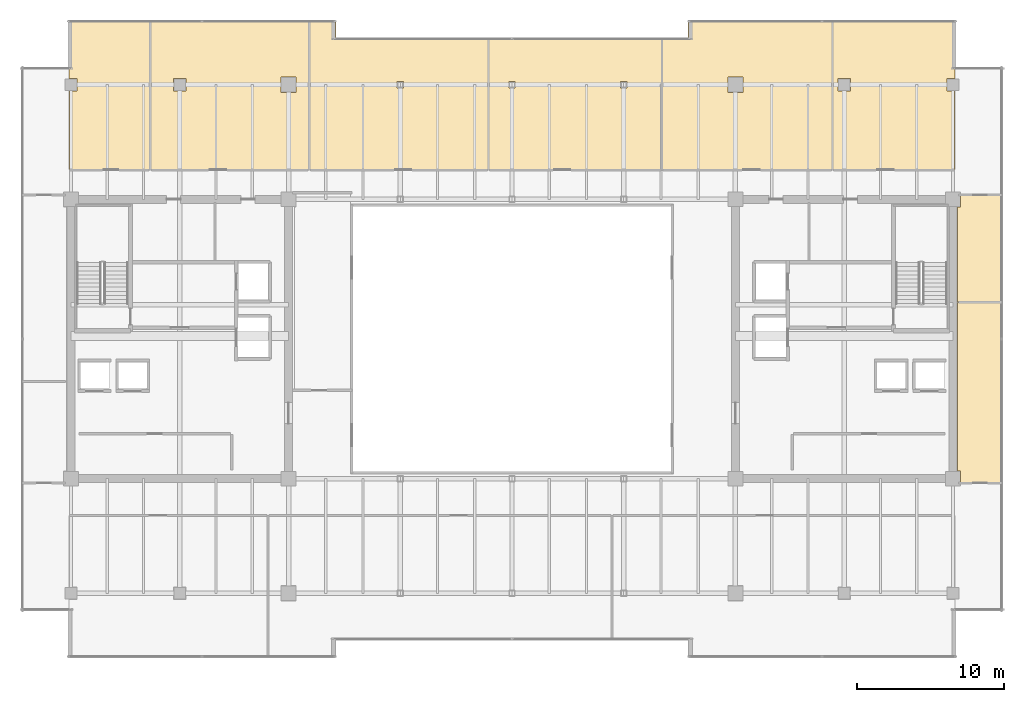
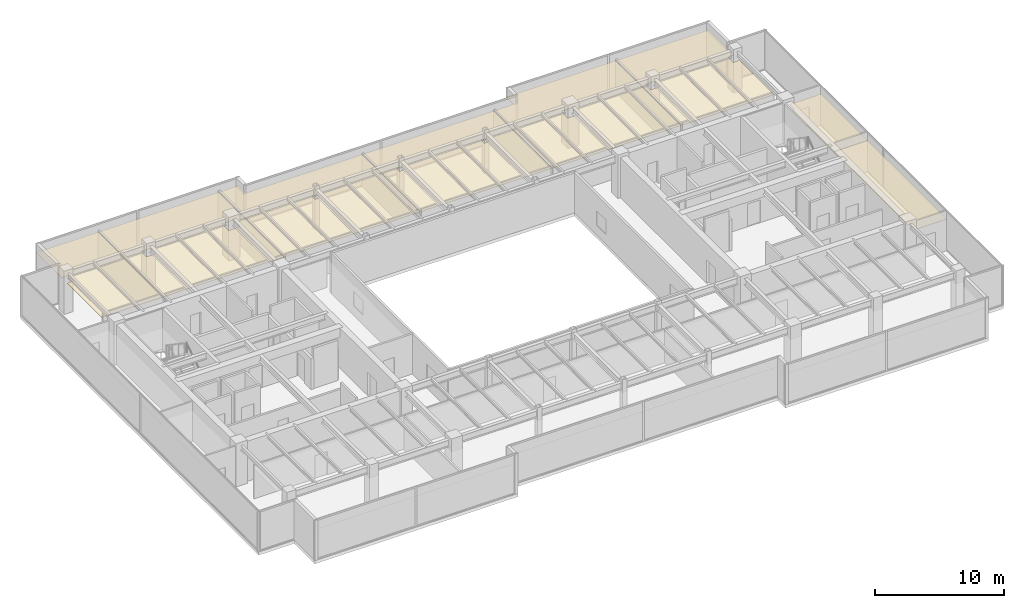
# One storey, part 35 of 35: 8 coverings.
"""IFC4 building model written with IfcOpenShell, lengths in metres."""

from ifc_helpers import new_model, si_unit, direction, frame, origin, place, context, subcontext, project, spatial, polyline, outline, extrude, material, layer, layer_set, type_object, element, save


model = new_model("IFC4")

# Units and contexts
model_context = context("Model", 3, precision=1e-05, world=origin(), true_north=direction((0.0, 1.0)))
body_context = subcontext(model_context, "Body", "Model", "MODEL_VIEW")
ifc_project = project(units=[si_unit("LENGTHUNIT", "METRE"), si_unit("AREAUNIT", "SQUARE_METRE"), si_unit("VOLUMEUNIT", "CUBIC_METRE"), si_unit("PLANEANGLEUNIT", "RADIAN"), si_unit("MASSUNIT", "GRAM", prefix="KILO")], contexts=[model_context])

# Site, building, storey
site_placement = place(None, origin())
site = spatial("IfcSite", under=ifc_project, at=site_placement, CompositionType="ELEMENT")
building_placement = place(site_placement, origin())
building = spatial("IfcBuilding", under=site, at=building_placement, Name="Haelvirn Gate Laboratories", CompositionType="ELEMENT")
storey_placement = place(building_placement, frame((0.0, 0.0, 234.199951171875)))
storey = spatial("IfcBuildingStorey", under=building, at=storey_placement, Name="L56", CompositionType="ELEMENT", Elevation=234.199951171875)

# Coverings
ifc_material = material(Name="Micro-perforated acoustic mineral-fibre laboratory ceiling")
ifc_layer = layer(ifc_material, 0.0400390625, Name="COV-CEIL-ACT")
ifc_layer_set = layer_set([ifc_layer], Name="Micro-perforated acoustic mineral-fibre laboratory ceiling")
covering_type = type_object("IfcCoveringType", Name="COV-CEIL-ACT", PredefinedType="CEILING", material=ifc_layer_set)
covering_1_placement = place(storey_placement, frame((0.0, 0.0, 2.880126953125)))
element("IfcCovering", 1, at=covering_1_placement, inside=storey, type_object=covering_type, Name="L56 Laboratory Acoustic Ceiling CEIL-SP-L56-N-01", PredefinedType="CEILING", context=body_context, shape_type="SweptSolid", body=[
    extrude(outline(polyline([(7.25, 45.949951171875), (12.780029296875, 45.949951171875), (12.780029296875, 35.820068359375), (7.25, 35.820068359375), (7.25, 41.179931640625), (7.820068359375, 41.179931640625), (7.820068359375, 42.02001953125), (7.25, 42.02001953125), (7.25, 45.949951171875)])), origin(), (0.0, 0.0, 1.0), 0.0400390625),
])
covering_2_placement = place(storey_placement, frame((0.0, 0.0, 2.880126953125)))
element("IfcCovering", 2, at=covering_2_placement, inside=storey, type_object=covering_type, Name="L56 Laboratory Acoustic Ceiling CEIL-SP-L56-N-02", PredefinedType="CEILING", context=body_context, shape_type="SweptSolid", body=[
    extrude(outline(polyline([(12.820068359375, 45.949951171875), (23.580078125, 45.949951171875), (23.580078125, 35.820068359375), (12.820068359375, 35.820068359375), (12.820068359375, 45.949951171875)]), holes=[polyline([(14.3798828125, 42.02001953125), (14.3798828125, 41.179931640625), (15.219970703125, 41.179931640625), (15.219970703125, 42.02001953125), (14.3798828125, 42.02001953125)]), polyline([(22.719970703125, 42.1201171875), (21.679931640625, 42.1201171875), (21.679931640625, 41.080078125), (22.719970703125, 41.080078125), (22.719970703125, 42.1201171875)])]), origin(), (0.0, 0.0, 1.0), 0.0400390625),
])
covering_3_placement = place(storey_placement, frame((0.0, 0.0, 2.880126953125)))
element("IfcCovering", 3, at=covering_3_placement, inside=storey, type_object=covering_type, Name="L56 Laboratory Acoustic Ceiling CEIL-SP-L56-N-03", PredefinedType="CEILING", context=body_context, shape_type="SweptSolid", body=[
    extrude(outline(polyline([(25.419921875, 45.949951171875), (25.419921875, 44.820068359375), (35.780029296875, 44.820068359375), (35.780029296875, 35.820068359375), (23.6201171875, 35.820068359375), (23.6201171875, 45.949951171875), (25.419921875, 45.949951171875)]), holes=[polyline([(30.02001953125, 41.820068359375), (29.580078125, 41.820068359375), (29.580078125, 41.3798828125), (30.02001953125, 41.3798828125), (30.02001953125, 41.820068359375)])]), origin(), (0.0, 0.0, 1.0), 0.0400390625),
])
covering_4_placement = place(storey_placement, frame((0.0, 0.0, 2.880126953125)))
element("IfcCovering", 4, at=covering_4_placement, inside=storey, type_object=covering_type, Name="L56 Laboratory Acoustic Ceiling CEIL-SP-L56-N-04", PredefinedType="CEILING", context=body_context, shape_type="SweptSolid", body=[
    extrude(outline(polyline([(35.820068359375, 35.820068359375), (35.820068359375, 44.820068359375), (47.580078125, 44.820068359375), (47.580078125, 35.820068359375), (35.820068359375, 35.820068359375)]), holes=[polyline([(37.179931640625, 41.820068359375), (37.179931640625, 41.3798828125), (37.6201171875, 41.3798828125), (37.6201171875, 41.820068359375), (37.179931640625, 41.820068359375)]), polyline([(45.219970703125, 41.820068359375), (44.780029296875, 41.820068359375), (44.780029296875, 41.3798828125), (45.219970703125, 41.3798828125), (45.219970703125, 41.820068359375)])]), origin(), (0.0, 0.0, 1.0), 0.0400390625),
])
covering_5_placement = place(storey_placement, frame((0.0, 0.0, 2.880126953125)))
element("IfcCovering", 5, at=covering_5_placement, inside=storey, type_object=covering_type, Name="L56 Laboratory Acoustic Ceiling CEIL-SP-L56-N-05", PredefinedType="CEILING", context=body_context, shape_type="SweptSolid", body=[
    extrude(outline(polyline([(47.6201171875, 44.820068359375), (49.3798828125, 44.820068359375), (49.3798828125, 45.949951171875), (59.179931640625, 45.949951171875), (59.179931640625, 35.820068359375), (47.6201171875, 35.820068359375), (47.6201171875, 44.820068359375)]), holes=[polyline([(53.1201171875, 42.1201171875), (52.080078125, 42.1201171875), (52.080078125, 41.080078125), (53.1201171875, 41.080078125), (53.1201171875, 42.1201171875)])]), origin(), (0.0, 0.0, 1.0), 0.0400390625),
])
covering_6_placement = place(storey_placement, frame((0.0, 0.0, 2.880126953125)))
element("IfcCovering", 6, at=covering_6_placement, inside=storey, type_object=covering_type, Name="L56 Laboratory Acoustic Ceiling CEIL-SP-L56-N-06", PredefinedType="CEILING", context=body_context, shape_type="SweptSolid", body=[
    extrude(outline(polyline([(67.550048828125, 35.820068359375), (59.219970703125, 35.820068359375), (59.219970703125, 45.949951171875), (67.550048828125, 45.949951171875), (67.550048828125, 42.02001953125), (66.97998046875, 42.02001953125), (66.97998046875, 41.179931640625), (67.550048828125, 41.179931640625), (67.550048828125, 35.820068359375)]), holes=[polyline([(59.580078125, 42.02001953125), (59.580078125, 41.179931640625), (60.419921875, 41.179931640625), (60.419921875, 42.02001953125), (59.580078125, 42.02001953125)])]), origin(), (0.0, 0.0, 1.0), 0.0400390625),
])
covering_7_placement = place(storey_placement, frame((0.0, 0.0, 2.880126953125)))
element("IfcCovering", 7, at=covering_7_placement, inside=storey, type_object=covering_type, Name="L56 Laboratory Acoustic Ceiling CEIL-SP-L56-EZ3-S", PredefinedType="CEILING", context=body_context, shape_type="SweptSolid", body=[
    extrude(outline(polyline([(70.75, 26.7900390625), (70.75, 14.52490234375), (67.919921875, 14.52490234375), (67.919921875, 15.320068359375), (67.719970703125, 15.320068359375), (67.719970703125, 26.7900390625), (70.75, 26.7900390625)])), origin(), (0.0, 0.0, 1.0), 0.0400390625),
])
covering_8_placement = place(storey_placement, frame((0.0, 0.0, 2.880126953125)))
element("IfcCovering", 8, at=covering_8_placement, inside=storey, type_object=covering_type, Name="L56 Laboratory Acoustic Ceiling CEIL-SP-L56-EZ3-N", PredefinedType="CEILING", context=body_context, shape_type="SweptSolid", body=[
    extrude(outline(polyline([(70.75, 34.074951171875), (70.75, 26.81005859375), (67.719970703125, 26.81005859375), (67.719970703125, 33.280029296875), (67.919921875, 33.280029296875), (67.919921875, 34.074951171875), (70.75, 34.074951171875)])), origin(), (0.0, 0.0, 1.0), 0.0400390625),
])

save(model, "model.ifc")
